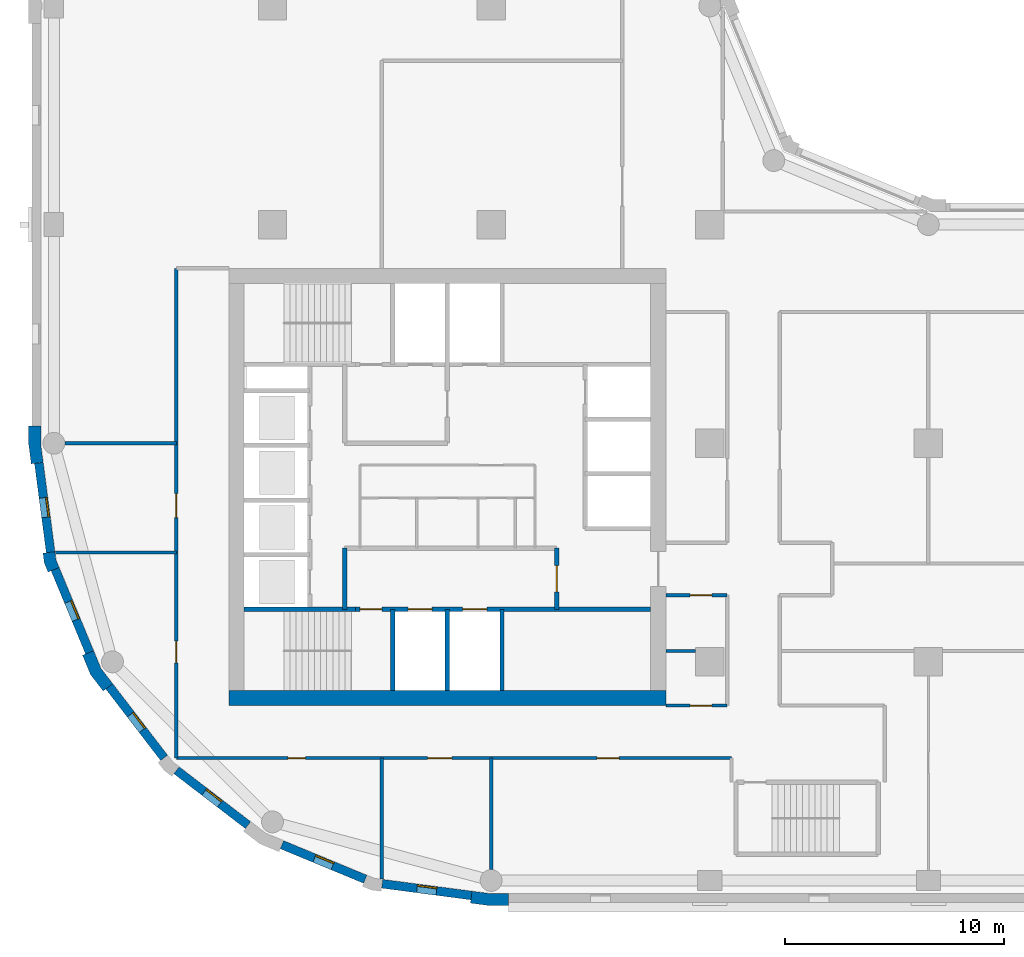
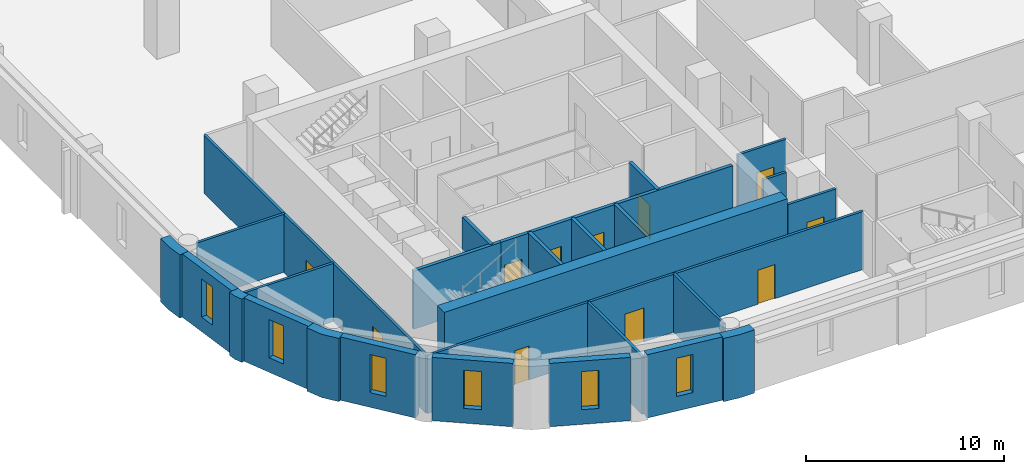
# One storey, part 2 of 9: 27 walls, 11 doors, 6 windows, 17 openings.
"""IFC4 building model written with IfcOpenShell, lengths in metres."""

import ifcopenshell
import ifcopenshell.guid

model = None  # the IFC model being written
_history = None  # IfcOwnerHistory: only IFC2X3 demands one
_inside = {}  # id of a spatial element -> (the spatial element, [elements in it])
_under = {}  # id of a project, library or spatial element -> (it, [spatial elements below it])
_declared = {}  # id of a project -> (the project, [libraries it declares])
_typed = {}  # id of a type object -> (the type object, [elements of that type])
_made_of = {}  # id of a material, layer set ... -> (it, [elements and type objects made of it])


def new_model(schema):
    """Start an empty IFC model of exactly this schema.

    Asked for "IFC4X3", IfcOpenShell would pick the latest addendum, in which some entities
    have other attributes; the version numbers below select the first issue.
    IFC2X3 requires an IfcOwnerHistory on every rooted entity: one is made here for all.
    """
    global model, _history
    if schema == "IFC4X3":
        model = ifcopenshell.file(schema_version=(4, 3, 0, 0))
    else:
        model = ifcopenshell.file(schema=schema)
    _inside.clear()
    _under.clear()
    _declared.clear()
    _typed.clear()
    _made_of.clear()
    _history = None
    if model.schema == "IFC2X3":
        org = make("IfcOrganization", Name="unknown")
        user = make(
            "IfcPersonAndOrganization",
            ThePerson=make("IfcPerson", FamilyName="unknown"),
            TheOrganization=org,
        )
        app = make(
            "IfcApplication",
            ApplicationDeveloper=org,
            Version="unknown",
            ApplicationFullName="unknown",
            ApplicationIdentifier="unknown",
        )
        _history = make(
            "IfcOwnerHistory",
            OwningUser=user,
            OwningApplication=app,
            ChangeAction="ADDED",
            CreationDate=0,
        )
    return model


def make(cls, **values):
    """One entity of the class cls with the attributes given. An attribute that is None is left unset."""
    return model.create_entity(
        cls, **{name: value for name, value in values.items() if value is not None}
    )


def rooted(cls, **values):
    """An entity with a GlobalId (a new one), such as an element, a storey or a relation."""
    return make(cls, GlobalId=ifcopenshell.guid.new(), OwnerHistory=_history, **values)


def si_unit(unit_type, name, prefix=None):
    """IfcSIUnit, for example si_unit("LENGTHUNIT", "METRE", prefix="MILLI")."""
    return make("IfcSIUnit", UnitType=unit_type, Prefix=prefix, Name=name)


def assignment(units):
    """IfcUnitAssignment: the units of a project."""
    return None if units is None else make("IfcUnitAssignment", Units=units)


def point(xyz):
    """IfcCartesianPoint."""
    return None if xyz is None else make("IfcCartesianPoint", Coordinates=xyz)


def direction(xyz):
    """IfcDirection."""
    return None if xyz is None else make("IfcDirection", DirectionRatios=xyz)


def frame(location, z_axis=None, x_axis=None):
    """IfcAxis2Placement3D, a coordinate frame: its origin and axes. An axis left out is left unset."""
    return make(
        "IfcAxis2Placement3D",
        Location=point(location),
        Axis=direction(z_axis),
        RefDirection=direction(x_axis),
    )


def frame_2d(location, x_axis=None):
    """IfcAxis2Placement2D, a coordinate frame in the plane: its origin and x axis."""
    return make(
        "IfcAxis2Placement2D", Location=point(location), RefDirection=direction(x_axis)
    )


def origin():
    """The frame at (0, 0, 0) with its axes left unset."""
    return frame((0.0, 0.0, 0.0))


def place(relative_to, where):
    """IfcLocalPlacement: puts the frame where relative to a parent placement (None: the world)."""
    return make(
        "IfcLocalPlacement", PlacementRelTo=relative_to, RelativePlacement=where
    )


def context(
    kind, dimensions, precision=None, world=None, true_north=None, identifier=None
):
    """IfcGeometricRepresentationContext, for example the 3D "Model" context."""
    return make(
        "IfcGeometricRepresentationContext",
        ContextIdentifier=identifier,
        ContextType=kind,
        CoordinateSpaceDimension=dimensions,
        Precision=precision,
        WorldCoordinateSystem=world,
        TrueNorth=true_north,
    )


def subcontext(parent, identifier, kind, view, scale=None):
    """IfcGeometricRepresentationSubContext, for example "Body" below "Model"."""
    return make(
        "IfcGeometricRepresentationSubContext",
        ContextIdentifier=identifier,
        ContextType=kind,
        ParentContext=parent,
        TargetScale=scale,
        TargetView=view,
    )


def project(units=None, contexts=None):
    """IfcProject with its units and contexts."""
    return rooted(
        "IfcProject",
        Name="project",
        RepresentationContexts=contexts,
        UnitsInContext=assignment(units),
    )


def spatial(cls, under=None, at=None, **own):
    """A site, building, storey or space (cls), placed at a placement, below another one or the project."""
    s = rooted(cls, ObjectPlacement=at, **own)
    if under is not None:
        _under.setdefault(under.id(), (under, []))[1].append(s)
    return s


def polyline(points):
    """IfcPolyline through the points."""
    return make("IfcPolyline", Points=[point(p) for p in points])


def profile(cls, at=None, kind="AREA", **sizes):
    """A parametric profile (cls). Its sizes go by their IFC names, for example OverallWidth=200.0."""
    return make(cls, ProfileType=kind, Position=at, **sizes)


def rectangle(**sizes):
    """IfcRectangleProfileDef."""
    return profile("IfcRectangleProfileDef", **sizes)


def outline(outer, holes=None, kind="AREA"):
    """IfcArbitraryClosedProfileDef: a profile drawn as a closed curve; with holes, ...WithVoids."""
    if holes is None:
        return make("IfcArbitraryClosedProfileDef", ProfileType=kind, OuterCurve=outer)
    return make(
        "IfcArbitraryProfileDefWithVoids",
        ProfileType=kind,
        OuterCurve=outer,
        InnerCurves=holes,
    )


def extrude(swept, where, along, depth):
    """IfcExtrudedAreaSolid: the profile swept, set in the frame where, extruded along a direction by depth."""
    return make(
        "IfcExtrudedAreaSolid",
        SweptArea=swept,
        Position=where,
        ExtrudedDirection=direction(along),
        Depth=depth,
    )


def shape(context_of_items, identifier, shape_type, items):
    """IfcShapeRepresentation: the items that make up one representation, for example the "Body"."""
    return make(
        "IfcShapeRepresentation",
        ContextOfItems=context_of_items,
        RepresentationIdentifier=identifier,
        RepresentationType=shape_type,
        Items=items,
    )


def material(Name=None, Category=None):
    """IfcMaterial."""
    return make("IfcMaterial", Name=Name, Category=Category)


def layer(
    of_material, thickness, ventilated=None, Name=None, Category=None, Priority=None
):
    """IfcMaterialLayer: one layer of a wall or slab, of a material (None: an air gap)."""
    return make(
        "IfcMaterialLayer",
        Material=of_material,
        LayerThickness=thickness,
        IsVentilated=ventilated,
        Name=Name,
        Category=Category,
        Priority=Priority,
    )


def layer_set(layers, Name=None):
    """IfcMaterialLayerSet."""
    return make("IfcMaterialLayerSet", MaterialLayers=layers, LayerSetName=Name)


def made_of(thing, what):
    """Note that an element or type object is made of a material, layer set ...; save() writes the relation."""
    if what is not None:
        _made_of.setdefault(what.id(), (what, []))[1].append(thing)
    return thing


def type_object(cls, material=None, **own):
    """A type object (cls), such as IfcWallType, which elements share."""
    return made_of(rooted(cls, **own), material)


def element(
    cls,
    number,
    at=None,
    inside=None,
    cuts=None,
    type_object=None,
    material=None,
    context=None,
    identifier="Body",
    shape_type=None,
    held_by="IfcProductDefinitionShape",
    body=None,
    shapes=None,
    **own,
):
    """One element of the class cls, such as IfcWall. Its Tag is "e" and its number.

    at: its placement. inside: the storey or other place that contains it. cuts: it is an
    opening in that element (IfcRelVoidsElement). A single representation is given by context,
    identifier, shape_type and body (its items); several are given by shapes. held_by: the class
    of the entity that holds the representations. save() writes the other relations.
    """
    e = rooted(cls, Tag="e%d" % number, ObjectPlacement=at, **own)
    if body is not None:
        shapes = [shape(context, identifier, shape_type, body)]
    if shapes is not None:
        e.Representation = make(held_by, Representations=shapes)
    if inside is not None:
        _inside.setdefault(inside.id(), (inside, []))[1].append(e)
    if cuts is not None:
        rooted(
            "IfcRelVoidsElement", RelatingBuildingElement=cuts, RelatedOpeningElement=e
        )
    if type_object is not None:
        _typed.setdefault(type_object.id(), (type_object, []))[1].append(e)
    return made_of(e, material)


def fill(opening, filler):
    """IfcRelFillsElement: the door or window that sits in an opening."""
    return rooted(
        "IfcRelFillsElement",
        RelatingOpeningElement=opening,
        RelatedBuildingElement=filler,
    )


def aggregate(whole, parts):
    """IfcRelAggregates: a whole, such as a stair, and the parts it consists of."""
    return rooted("IfcRelAggregates", RelatingObject=whole, RelatedObjects=parts)


def save(model, path):
    """Write the relations noted so far, then the file.

    IfcRelAggregates (storeys below a building ...), IfcRelContainedInSpatialStructure (elements
    in a storey), IfcRelDefinesByType, IfcRelAssociatesMaterial and IfcRelDeclares: one each for
    every whole, place, type object, material and project.
    """
    for whole, parts in _under.values():
        aggregate(whole, parts)
    for where, things in _inside.values():
        rooted(
            "IfcRelContainedInSpatialStructure",
            RelatedElements=things,
            RelatingStructure=where,
        )
    for kind, things in _typed.values():
        rooted("IfcRelDefinesByType", RelatedObjects=things, RelatingType=kind)
    for what, things in _made_of.values():
        rooted("IfcRelAssociatesMaterial", RelatedObjects=things, RelatingMaterial=what)
    for by, libraries in _declared.values():
        rooted("IfcRelDeclares", RelatingContext=by, RelatedDefinitions=libraries)
    model.write(path)


model = new_model("IFC4")

# Units and contexts
model_context = context("Model", 3, precision=1e-05, world=origin(), true_north=direction((0.0, 1.0)))
body_context = subcontext(model_context, "Body", "Model", "MODEL_VIEW")
ifc_project = project(units=[si_unit("LENGTHUNIT", "METRE"), si_unit("AREAUNIT", "SQUARE_METRE"), si_unit("VOLUMEUNIT", "CUBIC_METRE"), si_unit("PLANEANGLEUNIT", "RADIAN"), si_unit("MASSUNIT", "GRAM", prefix="KILO")], contexts=[model_context])

# Site, building, storey
site_placement = place(None, origin())
site = spatial("IfcSite", under=ifc_project, at=site_placement, CompositionType="ELEMENT")
building_placement = place(site_placement, origin())
building = spatial("IfcBuilding", under=site, at=building_placement, Name="Qaws Garden Tower", CompositionType="ELEMENT")
storey_placement = place(building_placement, frame((0.0, 0.0, 190.199951171875)))
storey = spatial("IfcBuildingStorey", under=building, at=storey_placement, Name="L46", CompositionType="ELEMENT", Elevation=190.199951171875)

# Wall, opening, window
ifc_material_1 = material(Name="Clay facing brick masonry", Category="masonry")
ifc_layer_1 = layer(ifc_material_1, 0.39990234375)
ifc_layer_set_1 = layer_set([ifc_layer_1], Name="Clay facing brick masonry")
wall_type_1 = type_object("IfcWallType", Name="Brick infill wall 400", PredefinedType="SOLIDWALL", material=ifc_layer_set_1)
wall_1_placement = place(storey_placement, frame((-0.688720703125, 19.102294921875, 0.0), z_axis=(0.0, 0.0, 1.0), x_axis=(0.130514280502, -0.991446429508, 0.0)))
wall_1 = element("IfcWall", 1, at=wall_1_placement, inside=storey, type_object=wall_type_1, Name="E-L46-infill-25", PredefinedType="SOLIDWALL", context=body_context, shape_type="SweptSolid", body=[
    extrude(rectangle(XDim=4.120849609375, YDim=0.39990234375, at=frame_2d((2.060546875, 0.0))), origin(), (0.0, 0.0, 1.0), 3.900146484375),
])
opening_1_placement = place(wall_1_placement, frame((1.610595703125, 0.0, 0.89990234375)))
opening_1 = element("IfcOpeningElement", 2, at=opening_1_placement, cuts=wall_1, Name="Opening W09", PredefinedType="OPENING", context=body_context, shape_type="SweptSolid", body=[
    extrude(rectangle(XDim=0.89990234375, YDim=2.35009765625, at=frame_2d((0.449951171875, 1.175048828125))), frame((0.0, 0.2099609375, 0.0), z_axis=(0.0, -1.0, 0.0), x_axis=(1.0, 0.0, 0.0)), (0.0, 0.0, 1.0), 0.419921875),
])
ifc_material_2 = material(Name="Aluminium framed window, clear glazing", Category="aluminium")
window_type = type_object("IfcWindowType", Name="Slit window 900 x 2350", PartitioningType="SINGLE_PANEL", PredefinedType="WINDOW", material=ifc_material_2)
window_1_placement = place(opening_1_placement, origin())
window_1 = element("IfcWindow", 3, at=window_1_placement, inside=storey, type_object=window_type, Name="E-L46-window-25-0", OverallHeight=2.35009765625, OverallWidth=0.89990234375, PartitioningType="SINGLE_PANEL", PredefinedType="WINDOW", context=body_context, shape_type="SweptSolid", body=[
    extrude(rectangle(XDim=0.89990234375, YDim=2.35009765625, at=frame_2d((0.449951171875, 1.175048828125))), frame((0.0, 0.159912109375, 0.0), z_axis=(0.0, -1.0, 0.0), x_axis=(1.0, 0.0, 0.0)), (0.0, 0.0, 1.0), 0.06005859375),
])
fill(opening_1, window_1)

wall_2_placement = place(storey_placement, frame((0.05712890625, 14.240234375, 0.0), z_axis=(0.0, 0.0, 1.0), x_axis=(0.382721546029, -0.923863744394, 0.0)))
wall_2 = element("IfcWall", 4, at=wall_2_placement, inside=storey, type_object=wall_type_1, Name="E-L46-infill-26", PredefinedType="SOLIDWALL", context=body_context, shape_type="SweptSolid", body=[
    extrude(rectangle(XDim=4.120849609375, YDim=0.39990234375, at=frame_2d((2.060546875, 0.0))), origin(), (0.0, 0.0, 1.0), 3.900146484375),
])
opening_2_placement = place(wall_2_placement, frame((1.610595703125, 0.0, 0.89990234375)))
opening_2 = element("IfcOpeningElement", 5, at=opening_2_placement, cuts=wall_2, Name="Opening W09", PredefinedType="OPENING", context=body_context, shape_type="SweptSolid", body=[
    extrude(rectangle(XDim=0.89990234375, YDim=2.35009765625, at=frame_2d((0.449951171875, 1.175048828125))), frame((0.0, 0.2099609375, 0.0), z_axis=(0.0, -1.0, 0.0), x_axis=(1.0, 0.0, 0.0)), (0.0, 0.0, 1.0), 0.419921875),
])
window_2_placement = place(opening_2_placement, origin())
window_2 = element("IfcWindow", 6, at=window_2_placement, inside=storey, type_object=window_type, Name="E-L46-window-26-0", OverallHeight=2.35009765625, OverallWidth=0.89990234375, PartitioningType="SINGLE_PANEL", PredefinedType="WINDOW", context=body_context, shape_type="SweptSolid", body=[
    extrude(rectangle(XDim=0.89990234375, YDim=2.35009765625, at=frame_2d((0.449951171875, 1.175048828125))), frame((0.0, 0.159912109375, 0.0), z_axis=(0.0, -1.0, 0.0), x_axis=(1.0, 0.0, 0.0)), (0.0, 0.0, 1.0), 0.06005859375),
])
fill(opening_2, window_2)

wall_3_placement = place(storey_placement, frame((2.53173828125, 8.87841796875, 0.0), z_axis=(0.0, 0.0, 1.0), x_axis=(0.608759824817, -0.793354571229, 0.0)))
wall_3 = element("IfcWall", 7, at=wall_3_placement, inside=storey, type_object=wall_type_1, Name="E-L46-infill-27", PredefinedType="SOLIDWALL", context=body_context, shape_type="SweptSolid", body=[
    extrude(rectangle(XDim=4.12109375, YDim=0.39990234375, at=frame_2d((2.060546875, 0.0))), origin(), (0.0, 0.0, 1.0), 3.900146484375),
])
opening_3_placement = place(wall_3_placement, frame((1.610595703125, 0.0, 0.89990234375)))
opening_3 = element("IfcOpeningElement", 8, at=opening_3_placement, cuts=wall_3, Name="Opening W09", PredefinedType="OPENING", context=body_context, shape_type="SweptSolid", body=[
    extrude(rectangle(XDim=0.89990234375, YDim=2.35009765625, at=frame_2d((0.449951171875, 1.175048828125))), frame((0.0, 0.2099609375, 0.0), z_axis=(0.0, -1.0, 0.0), x_axis=(1.0, 0.0, 0.0)), (0.0, 0.0, 1.0), 0.419921875),
])
window_3_placement = place(opening_3_placement, origin())
window_3 = element("IfcWindow", 9, at=window_3_placement, inside=storey, type_object=window_type, Name="E-L46-window-27-0", OverallHeight=2.35009765625, OverallWidth=0.89990234375, PartitioningType="SINGLE_PANEL", PredefinedType="WINDOW", context=body_context, shape_type="SweptSolid", body=[
    extrude(rectangle(XDim=0.89990234375, YDim=2.35009765625, at=frame_2d((0.449951171875, 1.175048828125))), frame((0.0, 0.159912109375, 0.0), z_axis=(0.0, -1.0, 0.0), x_axis=(1.0, 0.0, 0.0)), (0.0, 0.0, 1.0), 0.06005859375),
])
fill(opening_3, window_3)

wall_4_placement = place(storey_placement, frame((5.60888671875, 5.04052734375, 0.0), z_axis=(0.0, 0.0, 1.0), x_axis=(0.793354571229, -0.608759824817, 0.0)))
wall_4 = element("IfcWall", 10, at=wall_4_placement, inside=storey, type_object=wall_type_1, Name="E-L46-infill-28", PredefinedType="SOLIDWALL", context=body_context, shape_type="SweptSolid", body=[
    extrude(rectangle(XDim=4.12109375, YDim=0.39990234375, at=frame_2d((2.060546875, 0.0))), origin(), (0.0, 0.0, 1.0), 3.900146484375),
])
opening_4_placement = place(wall_4_placement, frame((1.610595703125, 0.0, 0.89990234375)))
opening_4 = element("IfcOpeningElement", 11, at=opening_4_placement, cuts=wall_4, Name="Opening W09", PredefinedType="OPENING", context=body_context, shape_type="SweptSolid", body=[
    extrude(rectangle(XDim=0.89990234375, YDim=2.35009765625, at=frame_2d((0.449951171875, 1.175048828125))), frame((0.0, 0.2099609375, 0.0), z_axis=(0.0, -1.0, 0.0), x_axis=(1.0, 0.0, 0.0)), (0.0, 0.0, 1.0), 0.419921875),
])
window_4_placement = place(opening_4_placement, origin())
window_4 = element("IfcWindow", 12, at=window_4_placement, inside=storey, type_object=window_type, Name="E-L46-window-28-0", OverallHeight=2.35009765625, OverallWidth=0.89990234375, PartitioningType="SINGLE_PANEL", PredefinedType="WINDOW", context=body_context, shape_type="SweptSolid", body=[
    extrude(rectangle(XDim=0.89990234375, YDim=2.35009765625, at=frame_2d((0.449951171875, 1.175048828125))), frame((0.0, 0.159912109375, 0.0), z_axis=(0.0, -1.0, 0.0), x_axis=(1.0, 0.0, 0.0)), (0.0, 0.0, 1.0), 0.06005859375),
])
fill(opening_4, window_4)

wall_5_placement = place(storey_placement, frame((10.43310546875, 1.63427734375, 0.0), z_axis=(0.0, 0.0, 1.0), x_axis=(0.923863744394, -0.382721546029, 0.0)))
wall_5 = element("IfcWall", 13, at=wall_5_placement, inside=storey, type_object=wall_type_1, Name="E-L46-infill-29", PredefinedType="SOLIDWALL", context=body_context, shape_type="SweptSolid", body=[
    extrude(rectangle(XDim=4.120849609375, YDim=0.39990234375, at=frame_2d((2.060546875, 0.0))), origin(), (0.0, 0.0, 1.0), 3.900146484375),
])
opening_5_placement = place(wall_5_placement, frame((1.610595703125, 0.0, 0.89990234375)))
opening_5 = element("IfcOpeningElement", 14, at=opening_5_placement, cuts=wall_5, Name="Opening W09", PredefinedType="OPENING", context=body_context, shape_type="SweptSolid", body=[
    extrude(rectangle(XDim=0.89990234375, YDim=2.35009765625, at=frame_2d((0.449951171875, 1.175048828125))), frame((0.0, 0.2099609375, 0.0), z_axis=(0.0, -1.0, 0.0), x_axis=(1.0, 0.0, 0.0)), (0.0, 0.0, 1.0), 0.419921875),
])
window_5_placement = place(opening_5_placement, origin())
window_5 = element("IfcWindow", 15, at=window_5_placement, inside=storey, type_object=window_type, Name="E-L46-window-29-0", OverallHeight=2.35009765625, OverallWidth=0.89990234375, PartitioningType="SINGLE_PANEL", PredefinedType="WINDOW", context=body_context, shape_type="SweptSolid", body=[
    extrude(rectangle(XDim=0.89990234375, YDim=2.35009765625, at=frame_2d((0.449951171875, 1.175048828125))), frame((0.0, 0.159912109375, 0.0), z_axis=(0.0, -1.0, 0.0), x_axis=(1.0, 0.0, 0.0)), (0.0, 0.0, 1.0), 0.06005859375),
])
fill(opening_5, window_5)

wall_6_placement = place(storey_placement, frame((15.0166015625, -0.15087890625, 0.0), z_axis=(0.0, 0.0, 1.0), x_axis=(0.991446429508, -0.130514280502, 0.0)))
wall_6 = element("IfcWall", 16, at=wall_6_placement, inside=storey, type_object=wall_type_1, Name="E-L46-infill-30", PredefinedType="SOLIDWALL", context=body_context, shape_type="SweptSolid", body=[
    extrude(rectangle(XDim=4.120849609375, YDim=0.39990234375, at=frame_2d((2.060546875, 0.0))), origin(), (0.0, 0.0, 1.0), 3.900146484375),
])
opening_6_placement = place(wall_6_placement, frame((1.610595703125, 0.0, 0.89990234375)))
opening_6 = element("IfcOpeningElement", 17, at=opening_6_placement, cuts=wall_6, Name="Opening W09", PredefinedType="OPENING", context=body_context, shape_type="SweptSolid", body=[
    extrude(rectangle(XDim=0.89990234375, YDim=2.35009765625, at=frame_2d((0.449951171875, 1.175048828125))), frame((0.0, 0.2099609375, 0.0), z_axis=(0.0, -1.0, 0.0), x_axis=(1.0, 0.0, 0.0)), (0.0, 0.0, 1.0), 0.419921875),
])
window_6_placement = place(opening_6_placement, origin())
window_6 = element("IfcWindow", 18, at=window_6_placement, inside=storey, type_object=window_type, Name="E-L46-window-30-0", OverallHeight=2.35009765625, OverallWidth=0.89990234375, PartitioningType="SINGLE_PANEL", PredefinedType="WINDOW", context=body_context, shape_type="SweptSolid", body=[
    extrude(rectangle(XDim=0.89990234375, YDim=2.35009765625, at=frame_2d((0.449951171875, 1.175048828125))), frame((0.0, 0.159912109375, 0.0), z_axis=(0.0, -1.0, 0.0), x_axis=(1.0, 0.0, 0.0)), (0.0, 0.0, 1.0), 0.06005859375),
])
fill(opening_6, window_6)

# Walls
ifc_material_3 = material(Name="Clay facing brick masonry", Category="masonry")
ifc_layer_2 = layer(ifc_material_3, 0.550048828125)
ifc_layer_set_2 = layer_set([ifc_layer_2], Name="Clay facing brick masonry")
wall_type_2 = type_object("IfcWallType", Name="Brick kink pier 550 x 600", PredefinedType="SOLIDWALL", material=ifc_layer_set_2)
placement = place(storey_placement, origin())
element("IfcWall", 19, at=placement, inside=storey, type_object=wall_type_2, Name="E-L46-pier-26", PredefinedType="SOLIDWALL", context=body_context, shape_type="SweptSolid", body=[
    extrude(outline(polyline([(-0.34912109375, 14.990478515625), (-0.497802734375, 14.970947265625), (-0.43896484375, 14.5234375), (-0.26611328125, 14.1064453125), (-0.127685546875, 14.163818359375), (0.241943359375, 14.31689453125), (0.096923828125, 14.6669921875), (0.04736328125, 15.042724609375), (-0.34912109375, 14.990478515625)])), origin(), (0.0, 0.0, 1.0), 3.900146484375),
])
ifc_material_4 = material(Name="Clay facing brick masonry", Category="masonry")
ifc_layer_3 = layer(ifc_material_4, 0.550048828125)
ifc_layer_set_3 = layer_set([ifc_layer_3], Name="Clay facing brick masonry")
wall_type_3 = type_object("IfcWallType", Name="Brick pier 550 x 1600", PredefinedType="SOLIDWALL", material=ifc_layer_set_3)
element("IfcWall", 20, at=placement, inside=storey, type_object=wall_type_3, Name="E-L46-pier-00", PredefinedType="SOLIDWALL", context=body_context, shape_type="SweptSolid", body=[
    extrude(outline(polyline([(19.076416015625, -0.886962890625), (19.056640625, -1.03564453125), (19.924560546875, -1.14990234375), (20.800048828125, -1.14990234375), (20.800048828125, -1.0), (20.800048828125, -0.60009765625), (19.960693359375, -0.60009765625), (19.12841796875, -0.490478515625), (19.076416015625, -0.886962890625)])), origin(), (0.0, 0.0, 1.0), 3.900146484375),
])
element("IfcWall", 21, at=placement, inside=storey, type_object=wall_type_3, Name="E-L46-pier-25", PredefinedType="SOLIDWALL", context=body_context, shape_type="SweptSolid", body=[
    extrude(outline(polyline([(-1.0, 20.800048828125), (-1.14990234375, 20.800048828125), (-1.14990234375, 19.924560546875), (-1.03564453125, 19.056640625), (-0.886962890625, 19.076416015625), (-0.490478515625, 19.12841796875), (-0.60009765625, 19.960693359375), (-0.60009765625, 20.800048828125), (-1.0, 20.800048828125)])), origin(), (0.0, 0.0, 1.0), 3.900146484375),
])
element("IfcWall", 22, at=placement, inside=storey, type_object=wall_type_3, Name="E-L46-pier-27", PredefinedType="SOLIDWALL", context=body_context, shape_type="SweptSolid", body=[
    extrude(outline(polyline([(1.449462890625, 10.3564453125), (1.310791015625, 10.299072265625), (1.675048828125, 9.419921875), (2.254150390625, 8.665283203125), (2.373046875, 8.756591796875), (2.6904296875, 9.0), (2.1552734375, 9.697509765625), (1.819091796875, 10.509521484375), (1.449462890625, 10.3564453125)])), origin(), (0.0, 0.0, 1.0), 3.900146484375),
])
ifc_material_5 = material(Name="Concrete C70", Category="concrete")
ifc_layer_4 = layer(ifc_material_5, 0.199951171875)
ifc_layer_set_4 = layer_set([ifc_layer_4], Name="Concrete C70")
wall_type_4 = type_object("IfcWallType", Name="Core shaft wall 200 C70", PredefinedType="SHEAR", material=ifc_layer_set_4)
wall_11_placement = place(storey_placement, frame((8.699951171875, 12.39990234375, 0.0), z_axis=(0.0, 0.0, 1.0), x_axis=(1.0, 0.0, 0.0)))
element("IfcWall", 23, at=wall_11_placement, inside=storey, type_object=wall_type_4, Name="Shaft wall", PredefinedType="SHEAR", context=body_context, shape_type="SweptSolid", body=[
    extrude(rectangle(XDim=5.10009765625, YDim=0.199951171875, at=frame_2d((2.550048828125, 0.0))), origin(), (0.0, 0.0, 1.0), 3.580078125),
])

# Wall, openings, doors
wall_12_placement = place(storey_placement, frame((13.800048828125, 12.39990234375, 0.0), z_axis=(0.0, 0.0, 1.0), x_axis=(1.0, 0.0, 0.0)))
wall_12 = element("IfcWall", 24, at=wall_12_placement, inside=storey, type_object=wall_type_4, Name="Shaft wall", PredefinedType="SHEAR", context=body_context, shape_type="SweptSolid", body=[
    extrude(rectangle(XDim=13.5, YDim=0.199951171875, at=frame_2d((6.75, 0.0))), origin(), (0.0, 0.0, 1.0), 3.580078125),
])
opening_7_placement = place(wall_12_placement, frame((2.39990234375, 0.0, 0.0)))
opening_7 = element("IfcOpeningElement", 25, at=opening_7_placement, cuts=wall_12, Name="Opening LD06", PredefinedType="OPENING", context=body_context, shape_type="SweptSolid", body=[
    extrude(rectangle(XDim=1.10009765625, YDim=2.10009765625, at=frame_2d((0.550048828125, 1.050048828125))), frame((0.0, 0.10986328125, 0.0), z_axis=(0.0, -1.0, 0.0), x_axis=(1.0, 0.0, 0.0)), (0.0, 0.0, 1.0), 0.219970703125),
])
opening_8_placement = place(wall_12_placement, frame((4.89990234375, 0.0, 0.0)))
opening_8 = element("IfcOpeningElement", 26, at=opening_8_placement, cuts=wall_12, Name="Opening LD07", PredefinedType="OPENING", context=body_context, shape_type="SweptSolid", body=[
    extrude(rectangle(XDim=1.10009765625, YDim=2.10009765625, at=frame_2d((0.550048828125, 1.050048828125))), frame((0.0, 0.10986328125, 0.0), z_axis=(0.0, -1.0, 0.0), x_axis=(1.0, 0.0, 0.0)), (0.0, 0.0, 1.0), 0.219970703125),
])
opening_9_placement = place(wall_12_placement, frame((0.199951171875, 0.0, 0.0)))
opening_9 = element("IfcOpeningElement", 27, at=opening_9_placement, cuts=wall_12, Name="Opening SD10", PredefinedType="OPENING", context=body_context, shape_type="SweptSolid", body=[
    extrude(rectangle(XDim=1.0, YDim=2.10009765625, at=frame_2d((0.5, 1.050048828125))), frame((0.0, 0.10986328125, 0.0), z_axis=(0.0, -1.0, 0.0), x_axis=(1.0, 0.0, 0.0)), (0.0, 0.0, 1.0), 0.219970703125),
])
ifc_material_6 = material(Name="Steel S235", Category="steel")
door_type_1 = type_object("IfcDoorType", Name="Landing door 1100x2100", OperationType="DOUBLE_DOOR_SLIDING", PredefinedType="DOOR", material=ifc_material_6)
door_1_placement = place(opening_7_placement, origin())
door_1 = element("IfcDoor", 28, at=door_1_placement, inside=storey, type_object=door_type_1, Name="Lift FF1 landing door", OperationType="DOUBLE_DOOR_SLIDING", OverallHeight=2.10009765625, OverallWidth=1.10009765625, PredefinedType="DOOR", context=body_context, shape_type="SweptSolid", body=[
    extrude(rectangle(XDim=1.10009765625, YDim=2.10009765625, at=frame_2d((0.550048828125, 1.050048828125))), frame((0.0, 0.02490234375, 0.0), z_axis=(0.0, -1.0, 0.0), x_axis=(1.0, 0.0, 0.0)), (0.0, 0.0, 1.0), 0.050048828125),
])
fill(opening_7, door_1)
door_2_placement = place(opening_8_placement, origin())
door_2 = element("IfcDoor", 29, at=door_2_placement, inside=storey, type_object=door_type_1, Name="Lift FF2 landing door", OperationType="DOUBLE_DOOR_SLIDING", OverallHeight=2.10009765625, OverallWidth=1.10009765625, PredefinedType="DOOR", context=body_context, shape_type="SweptSolid", body=[
    extrude(rectangle(XDim=1.10009765625, YDim=2.10009765625, at=frame_2d((0.550048828125, 1.050048828125))), frame((0.0, 0.02490234375, 0.0), z_axis=(0.0, -1.0, 0.0), x_axis=(1.0, 0.0, 0.0)), (0.0, 0.0, 1.0), 0.050048828125),
])
fill(opening_8, door_2)
ifc_material_7 = material(Name="Steel S235", Category="steel")
door_type_2 = type_object("IfcDoorType", Name="Stair door 1000x2100", OperationType="SINGLE_SWING_RIGHT", PredefinedType="DOOR", material=ifc_material_7)
door_3_placement = place(opening_9_placement, frame((1.0, 0.0, 0.0), z_axis=(0.0, 0.0, 1.0), x_axis=(-1.0, 0.0, 0.0)))
door_3 = element("IfcDoor", 30, at=door_3_placement, inside=storey, type_object=door_type_2, Name="Stair 1 door", OperationType="SINGLE_SWING_LEFT", OverallHeight=2.10009765625, OverallWidth=1.0, PredefinedType="DOOR", context=body_context, shape_type="SweptSolid", body=[
    extrude(rectangle(XDim=1.0, YDim=2.10009765625, at=frame_2d((0.5, 1.050048828125))), frame((0.0, 0.02490234375, 0.0), z_axis=(0.0, -1.0, 0.0), x_axis=(1.0, 0.0, 0.0)), (0.0, 0.0, 1.0), 0.050048828125),
])
fill(opening_9, door_3)

# Walls
wall_13_placement = place(storey_placement, frame((13.300048828125, 12.39990234375, 0.0), z_axis=(0.0, 0.0, 1.0), x_axis=(0.0, 1.0, 0.0)))
element("IfcWall", 31, at=wall_13_placement, inside=storey, type_object=wall_type_4, Name="Shaft wall", PredefinedType="SHEAR", context=body_context, shape_type="SweptSolid", body=[
    extrude(rectangle(XDim=2.800048828125, YDim=0.199951171875, at=frame_2d((1.39990234375, 0.0))), origin(), (0.0, 0.0, 1.0), 3.580078125),
])
for number, where, z_axis, x_axis, name in (
    (32, (15.5, 8.699951171875, 0.0), (0.0, 0.0, 1.0), (0.0, 1.0, 0.0), "Shaft wall"),
    (33, (18.0, 8.699951171875, 0.0), (0.0, 0.0, 1.0), (0.0, 1.0, 0.0), "Shaft wall"),
    (34, (20.5, 8.699951171875, 0.0), (0.0, 0.0, 1.0), (0.0, 1.0, 0.0), "Shaft wall"),
):
    element("IfcWall", number, at=place(storey_placement, frame(where, z_axis=z_axis, x_axis=x_axis)), inside=storey, type_object=wall_type_4, Name=name, PredefinedType="SHEAR", context=body_context, shape_type="SweptSolid", body=[
        extrude(rectangle(XDim=3.699951171875, YDim=0.199951171875, at=frame_2d((1.85009765625, 0.0))), origin(), (0.0, 0.0, 1.0), 3.580078125),
    ])

# Wall, opening, door
wall_14_placement = place(storey_placement, frame((23.0, 12.39990234375, 0.0), z_axis=(0.0, 0.0, 1.0), x_axis=(0.0, 1.0, 0.0)))
wall_14 = element("IfcWall", 35, at=wall_14_placement, inside=storey, type_object=wall_type_4, Name="Shaft wall", PredefinedType="SHEAR", context=body_context, shape_type="SweptSolid", body=[
    extrude(rectangle(XDim=2.800048828125, YDim=0.199951171875, at=frame_2d((1.39990234375, 0.0))), origin(), (0.0, 0.0, 1.0), 3.580078125),
])
opening_10_placement = place(wall_14_placement, frame((0.800048828125, 0.0, 0.0)))
opening_10 = element("IfcOpeningElement", 36, at=opening_10_placement, cuts=wall_14, Name="Opening FD15", PredefinedType="OPENING", context=body_context, shape_type="SweptSolid", body=[
    extrude(rectangle(XDim=1.199951171875, YDim=2.10009765625, at=frame_2d((0.60009765625, 1.050048828125))), frame((0.0, 0.10986328125, 0.0), z_axis=(0.0, -1.0, 0.0), x_axis=(1.0, 0.0, 0.0)), (0.0, 0.0, 1.0), 0.219970703125),
])
ifc_material_8 = material(Name="Steel S235", Category="steel")
door_type_3 = type_object("IfcDoorType", Name="Lobby door 1200x2100", OperationType="DOUBLE_DOOR_SINGLE_SWING", PredefinedType="DOOR", material=ifc_material_8)
door_4_placement = place(opening_10_placement, origin())
door_4 = element("IfcDoor", 37, at=door_4_placement, inside=storey, type_object=door_type_3, Name="Fire-fighting lobby door", OperationType="DOUBLE_DOOR_SINGLE_SWING", OverallHeight=2.10009765625, OverallWidth=1.199951171875, PredefinedType="DOOR", context=body_context, shape_type="SweptSolid", body=[
    extrude(rectangle(XDim=1.199951171875, YDim=2.10009765625, at=frame_2d((0.60009765625, 1.050048828125))), frame((0.0, 0.02490234375, 0.0), z_axis=(0.0, -1.0, 0.0), x_axis=(1.0, 0.0, 0.0)), (0.0, 0.0, 1.0), 0.050048828125),
])
fill(opening_10, door_4)

# Wall
ifc_material_9 = material(Name="Concrete C70", Category="concrete")
ifc_layer_5 = layer(ifc_material_9, 0.699951171875)
ifc_layer_set_5 = layer_set([ifc_layer_5], Name="Concrete C70")
wall_type_5 = type_object("IfcWallType", Name="Core wall 700 C70", PredefinedType="SHEAR", material=ifc_layer_set_5)
wall_15_placement = place(storey_placement, frame((8.0, 8.35009765625, 0.0), z_axis=(0.0, 0.0, 1.0), x_axis=(1.0, 0.0, 0.0)))
element("IfcWall", 38, at=wall_15_placement, inside=storey, type_object=wall_type_5, Name="Core wall L46 south", PredefinedType="SHEAR", context=body_context, shape_type="SweptSolid", body=[
    extrude(rectangle(XDim=20.0, YDim=0.699951171875, at=frame_2d((10.0, 0.0))), origin(), (0.0, 0.0, 1.0), 3.900146484375),
])

# Wall, openings, doors
ifc_material_10 = material(Name="Gypsum board partition")
ifc_layer_6 = layer(ifc_material_10, 0.14990234375)
ifc_layer_set_6 = layer_set([ifc_layer_6], Name="Gypsum board partition")
wall_type_6 = type_object("IfcWallType", Name="PARTITION 150 EI 60", PredefinedType="PARTITIONING", material=ifc_layer_set_6)
wall_16_placement = place(storey_placement, frame((5.60009765625, 5.60009765625, 0.0), z_axis=(0.0, 0.0, 1.0), x_axis=(0.0, 1.0, 0.0)))
wall_16 = element("IfcWall", 39, at=wall_16_placement, inside=storey, type_object=wall_type_6, Name="O-L46-wall-004", PredefinedType="PARTITIONING", context=body_context, shape_type="SweptSolid", body=[
    extrude(rectangle(XDim=22.39990234375, YDim=0.14990234375, at=frame_2d((11.199951171875, 0.0))), origin(), (0.0, 0.0, 1.0), 3.580078125),
])
opening_11_placement = place(wall_16_placement, frame((4.35009765625, 0.0, 0.0)))
opening_11 = element("IfcOpeningElement", 40, at=opening_11_placement, cuts=wall_16, Name="Opening B601", PredefinedType="OPENING", context=body_context, shape_type="SweptSolid", body=[
    extrude(rectangle(XDim=1.0, YDim=2.10009765625, at=frame_2d((0.5, 1.050048828125))), frame((0.0, 0.0849609375, 0.0), z_axis=(0.0, -1.0, 0.0), x_axis=(1.0, 0.0, 0.0)), (0.0, 0.0, 1.0), 0.169921875),
])
opening_12_placement = place(wall_16_placement, frame((11.0, 0.0, 0.0)))
opening_12 = element("IfcOpeningElement", 41, at=opening_12_placement, cuts=wall_16, Name="Opening B602", PredefinedType="OPENING", context=body_context, shape_type="SweptSolid", body=[
    extrude(rectangle(XDim=1.10009765625, YDim=2.10009765625, at=frame_2d((0.550048828125, 1.050048828125))), frame((0.0, 0.0849609375, 0.0), z_axis=(0.0, -1.0, 0.0), x_axis=(1.0, 0.0, 0.0)), (0.0, 0.0, 1.0), 0.169921875),
])
ifc_material_11 = material(Name="Timber door leaf", Category="wood")
door_type_4 = type_object("IfcDoorType", Name="SERVICE ROOM DOOR 1100 X 2100", OperationType="SINGLE_SWING_LEFT", PredefinedType="DOOR", material=ifc_material_11)
door_5_placement = place(opening_12_placement, origin())
door_5 = element("IfcDoor", 42, at=door_5_placement, inside=storey, type_object=door_type_4, Name="O-L46-door-002", OperationType="SINGLE_SWING_RIGHT", OverallHeight=2.10009765625, OverallWidth=1.10009765625, PredefinedType="DOOR", context=body_context, shape_type="SweptSolid", body=[
    extrude(rectangle(XDim=1.10009765625, YDim=2.10009765625, at=frame_2d((0.550048828125, 1.050048828125))), frame((0.0, 0.02490234375, 0.0), z_axis=(0.0, -1.0, 0.0), x_axis=(1.0, 0.0, 0.0)), (0.0, 0.0, 1.0), 0.050048828125),
])
fill(opening_12, door_5)
ifc_material_12 = material(Name="Timber door leaf", Category="wood")
door_type_5 = type_object("IfcDoorType", Name="TENANCY ENTRANCE DOOR 1000 X 2100", OperationType="SINGLE_SWING_LEFT", PredefinedType="DOOR", material=ifc_material_12)
door_6_placement = place(opening_11_placement, origin())
door_6 = element("IfcDoor", 43, at=door_6_placement, inside=storey, type_object=door_type_5, Name="O-L46-door-001", OperationType="SINGLE_SWING_RIGHT", OverallHeight=2.10009765625, OverallWidth=1.0, PredefinedType="DOOR", context=body_context, shape_type="SweptSolid", body=[
    extrude(rectangle(XDim=1.0, YDim=2.10009765625, at=frame_2d((0.5, 1.050048828125))), frame((0.0, 0.02490234375, 0.0), z_axis=(0.0, -1.0, 0.0), x_axis=(1.0, 0.0, 0.0)), (0.0, 0.0, 1.0), 0.050048828125),
])
fill(opening_11, door_6)

# Walls
wall_17_placement = place(storey_placement, frame((15.0, 0.06298828125, 0.0), z_axis=(0.0, 0.0, 1.0), x_axis=(0.0, 1.0, 0.0)))
element("IfcWall", 44, at=wall_17_placement, inside=storey, type_object=wall_type_6, Name="O-L46-wall-007", PredefinedType="PARTITIONING", context=body_context, shape_type="SweptSolid", body=[
    extrude(rectangle(XDim=5.537109375, YDim=0.14990234375, at=frame_2d((2.7685546875, 0.0))), origin(), (0.0, 0.0, 1.0), 3.580078125),
])
wall_18_placement = place(storey_placement, frame((20.0, 0.5, 0.0), z_axis=(0.0, 0.0, 1.0), x_axis=(0.0, 1.0, 0.0)))
element("IfcWall", 45, at=wall_18_placement, inside=storey, type_object=wall_type_6, Name="O-L46-wall-011", PredefinedType="PARTITIONING", context=body_context, shape_type="SweptSolid", body=[
    extrude(rectangle(XDim=5.10009765625, YDim=0.14990234375, at=frame_2d((2.550048828125, 0.0))), origin(), (0.0, 0.0, 1.0), 3.580078125),
])

# Wall, openings, doors
wall_19_placement = place(storey_placement, frame((5.60009765625, 5.60009765625, 0.0), z_axis=(0.0, 0.0, 1.0), x_axis=(1.0, 0.0, 0.0)))
wall_19 = element("IfcWall", 46, at=wall_19_placement, inside=storey, type_object=wall_type_6, Name="O-L46-wall-027", PredefinedType="PARTITIONING", context=body_context, shape_type="SweptSolid", body=[
    extrude(rectangle(XDim=25.39990234375, YDim=0.14990234375, at=frame_2d((12.699951171875, 0.0))), origin(), (0.0, 0.0, 1.0), 3.580078125),
])
opening_13_placement = place(wall_19_placement, frame((5.10009765625, 0.0, 0.0)))
opening_13 = element("IfcOpeningElement", 47, at=opening_13_placement, cuts=wall_19, Name="Opening B611", PredefinedType="OPENING", context=body_context, shape_type="SweptSolid", body=[
    extrude(rectangle(XDim=0.800048828125, YDim=2.10009765625, at=frame_2d((0.39990234375, 1.050048828125))), frame((0.0, 0.0849609375, 0.0), z_axis=(0.0, -1.0, 0.0), x_axis=(1.0, 0.0, 0.0)), (0.0, 0.0, 1.0), 0.169921875),
])
opening_14_placement = place(wall_19_placement, frame((11.5, 0.0, 0.0)))
opening_14 = element("IfcOpeningElement", 48, at=opening_14_placement, cuts=wall_19, Name="Opening B614", PredefinedType="OPENING", context=body_context, shape_type="SweptSolid", body=[
    extrude(rectangle(XDim=1.10009765625, YDim=2.10009765625, at=frame_2d((0.550048828125, 1.050048828125))), frame((0.0, 0.0849609375, 0.0), z_axis=(0.0, -1.0, 0.0), x_axis=(1.0, 0.0, 0.0)), (0.0, 0.0, 1.0), 0.169921875),
])
opening_15_placement = place(wall_19_placement, frame((19.25, 0.0, 0.0)))
opening_15 = element("IfcOpeningElement", 49, at=opening_15_placement, cuts=wall_19, Name="Opening B620", PredefinedType="OPENING", context=body_context, shape_type="SweptSolid", body=[
    extrude(rectangle(XDim=1.0, YDim=2.10009765625, at=frame_2d((0.5, 1.050048828125))), frame((0.0, 0.0849609375, 0.0), z_axis=(0.0, -1.0, 0.0), x_axis=(1.0, 0.0, 0.0)), (0.0, 0.0, 1.0), 0.169921875),
])
door_7_placement = place(opening_14_placement, frame((1.10009765625, 0.0, 0.0), z_axis=(0.0, 0.0, 1.0), x_axis=(-1.0, 0.0, 0.0)))
door_7 = element("IfcDoor", 50, at=door_7_placement, inside=storey, type_object=door_type_4, Name="O-L46-door-014", OperationType="SINGLE_SWING_LEFT", OverallHeight=2.10009765625, OverallWidth=1.10009765625, PredefinedType="DOOR", context=body_context, shape_type="SweptSolid", body=[
    extrude(rectangle(XDim=1.10009765625, YDim=2.10009765625, at=frame_2d((0.550048828125, 1.050048828125))), frame((0.0, 0.02490234375, 0.0), z_axis=(0.0, -1.0, 0.0), x_axis=(1.0, 0.0, 0.0)), (0.0, 0.0, 1.0), 0.050048828125),
])
fill(opening_14, door_7)
ifc_material_13 = material(Name="Timber door leaf", Category="wood")
door_type_6 = type_object("IfcDoorType", Name="STORE DOOR 800 X 2100", OperationType="SINGLE_SWING_LEFT", PredefinedType="DOOR", material=ifc_material_13)
door_8_placement = place(opening_13_placement, frame((0.800048828125, 0.0, 0.0), z_axis=(0.0, 0.0, 1.0), x_axis=(-1.0, 0.0, 0.0)))
door_8 = element("IfcDoor", 51, at=door_8_placement, inside=storey, type_object=door_type_6, Name="O-L46-door-011", OperationType="SINGLE_SWING_LEFT", OverallHeight=2.10009765625, OverallWidth=0.800048828125, PredefinedType="DOOR", context=body_context, shape_type="SweptSolid", body=[
    extrude(rectangle(XDim=0.800048828125, YDim=2.10009765625, at=frame_2d((0.39990234375, 1.050048828125))), frame((0.0, 0.02490234375, 0.0), z_axis=(0.0, -1.0, 0.0), x_axis=(1.0, 0.0, 0.0)), (0.0, 0.0, 1.0), 0.050048828125),
])
fill(opening_13, door_8)
door_9_placement = place(opening_15_placement, frame((1.0, 0.0, 0.0), z_axis=(0.0, 0.0, 1.0), x_axis=(-1.0, 0.0, 0.0)))
door_9 = element("IfcDoor", 52, at=door_9_placement, inside=storey, type_object=door_type_5, Name="O-L46-door-020", OperationType="SINGLE_SWING_LEFT", OverallHeight=2.10009765625, OverallWidth=1.0, PredefinedType="DOOR", context=body_context, shape_type="SweptSolid", body=[
    extrude(rectangle(XDim=1.0, YDim=2.10009765625, at=frame_2d((0.5, 1.050048828125))), frame((0.0, 0.02490234375, 0.0), z_axis=(0.0, -1.0, 0.0), x_axis=(1.0, 0.0, 0.0)), (0.0, 0.0, 1.0), 0.050048828125),
])
fill(opening_15, door_9)

# Wall, opening, door
wall_20_placement = place(storey_placement, frame((28.0, 8.0, 0.0), z_axis=(0.0, 0.0, 1.0), x_axis=(1.0, 0.0, 0.0)))
wall_20 = element("IfcWall", 53, at=wall_20_placement, inside=storey, type_object=wall_type_6, Name="O-L46-wall-028", PredefinedType="PARTITIONING", context=body_context, shape_type="SweptSolid", body=[
    extrude(rectangle(XDim=2.800048828125, YDim=0.14990234375, at=frame_2d((1.39990234375, 0.0))), origin(), (0.0, 0.0, 1.0), 3.580078125),
])
opening_16_placement = place(wall_20_placement, frame((1.10009765625, 0.0, 0.0)))
opening_16 = element("IfcOpeningElement", 54, at=opening_16_placement, cuts=wall_20, Name="Opening B603", PredefinedType="OPENING", context=body_context, shape_type="SweptSolid", body=[
    extrude(rectangle(XDim=1.0, YDim=2.10009765625, at=frame_2d((0.5, 1.050048828125))), frame((0.0, 0.0849609375, 0.0), z_axis=(0.0, -1.0, 0.0), x_axis=(1.0, 0.0, 0.0)), (0.0, 0.0, 1.0), 0.169921875),
])
door_10_placement = place(opening_16_placement, origin())
door_10 = element("IfcDoor", 55, at=door_10_placement, inside=storey, type_object=door_type_5, Name="O-L46-door-003", OperationType="SINGLE_SWING_RIGHT", OverallHeight=2.10009765625, OverallWidth=1.0, PredefinedType="DOOR", context=body_context, shape_type="SweptSolid", body=[
    extrude(rectangle(XDim=1.0, YDim=2.10009765625, at=frame_2d((0.5, 1.050048828125))), frame((0.0, 0.02490234375, 0.0), z_axis=(0.0, -1.0, 0.0), x_axis=(1.0, 0.0, 0.0)), (0.0, 0.0, 1.0), 0.050048828125),
])
fill(opening_16, door_10)

# Wall
wall_21_placement = place(storey_placement, frame((28.0, 10.5, 0.0), z_axis=(0.0, 0.0, 1.0), x_axis=(1.0, 0.0, 0.0)))
element("IfcWall", 56, at=wall_21_placement, inside=storey, type_object=wall_type_6, Name="O-L46-wall-030", PredefinedType="PARTITIONING", context=body_context, shape_type="SweptSolid", body=[
    extrude(rectangle(XDim=1.35009765625, YDim=0.14990234375, at=frame_2d((0.675048828125, 0.0))), origin(), (0.0, 0.0, 1.0), 3.580078125),
])

# Wall, opening, door
wall_22_placement = place(storey_placement, frame((28.0, 13.050048828125, 0.0), z_axis=(0.0, 0.0, 1.0), x_axis=(1.0, 0.0, 0.0)))
wall_22 = element("IfcWall", 57, at=wall_22_placement, inside=storey, type_object=wall_type_6, Name="O-L46-wall-033", PredefinedType="PARTITIONING", context=body_context, shape_type="SweptSolid", body=[
    extrude(rectangle(XDim=2.800048828125, YDim=0.14990234375, at=frame_2d((1.39990234375, 0.0))), origin(), (0.0, 0.0, 1.0), 3.580078125),
])
opening_17_placement = place(wall_22_placement, frame((1.10009765625, 0.0, 0.0)))
opening_17 = element("IfcOpeningElement", 58, at=opening_17_placement, cuts=wall_22, Name="Opening B619", PredefinedType="OPENING", context=body_context, shape_type="SweptSolid", body=[
    extrude(rectangle(XDim=1.0, YDim=2.10009765625, at=frame_2d((0.5, 1.050048828125))), frame((0.0, 0.0849609375, 0.0), z_axis=(0.0, -1.0, 0.0), x_axis=(1.0, 0.0, 0.0)), (0.0, 0.0, 1.0), 0.169921875),
])
door_11_placement = place(opening_17_placement, frame((1.0, 0.0, 0.0), z_axis=(0.0, 0.0, 1.0), x_axis=(-1.0, 0.0, 0.0)))
door_11 = element("IfcDoor", 59, at=door_11_placement, inside=storey, type_object=door_type_5, Name="O-L46-door-019", OperationType="SINGLE_SWING_LEFT", OverallHeight=2.10009765625, OverallWidth=1.0, PredefinedType="DOOR", context=body_context, shape_type="SweptSolid", body=[
    extrude(rectangle(XDim=1.0, YDim=2.10009765625, at=frame_2d((0.5, 1.050048828125))), frame((0.0, 0.02490234375, 0.0), z_axis=(0.0, -1.0, 0.0), x_axis=(1.0, 0.0, 0.0)), (0.0, 0.0, 1.0), 0.050048828125),
])
fill(opening_17, door_11)

# Walls
wall_23_placement = place(storey_placement, frame((0.06298828125, 15.0, 0.0), z_axis=(0.0, 0.0, 1.0), x_axis=(1.0, 0.0, 0.0)))
element("IfcWall", 60, at=wall_23_placement, inside=storey, type_object=wall_type_6, Name="O-L46-wall-036", PredefinedType="PARTITIONING", context=body_context, shape_type="SweptSolid", body=[
    extrude(rectangle(XDim=5.537109375, YDim=0.14990234375, at=frame_2d((2.7685546875, 0.0))), origin(), (0.0, 0.0, 1.0), 3.580078125),
])
wall_24_placement = place(storey_placement, frame((0.5, 20.0, 0.0), z_axis=(0.0, 0.0, 1.0), x_axis=(1.0, 0.0, 0.0)))
element("IfcWall", 61, at=wall_24_placement, inside=storey, type_object=wall_type_6, Name="O-L46-wall-039", PredefinedType="PARTITIONING", context=body_context, shape_type="SweptSolid", body=[
    extrude(rectangle(XDim=5.10009765625, YDim=0.14990234375, at=frame_2d((2.550048828125, 0.0))), origin(), (0.0, 0.0, 1.0), 3.580078125),
])

save(model, "model.ifc")
